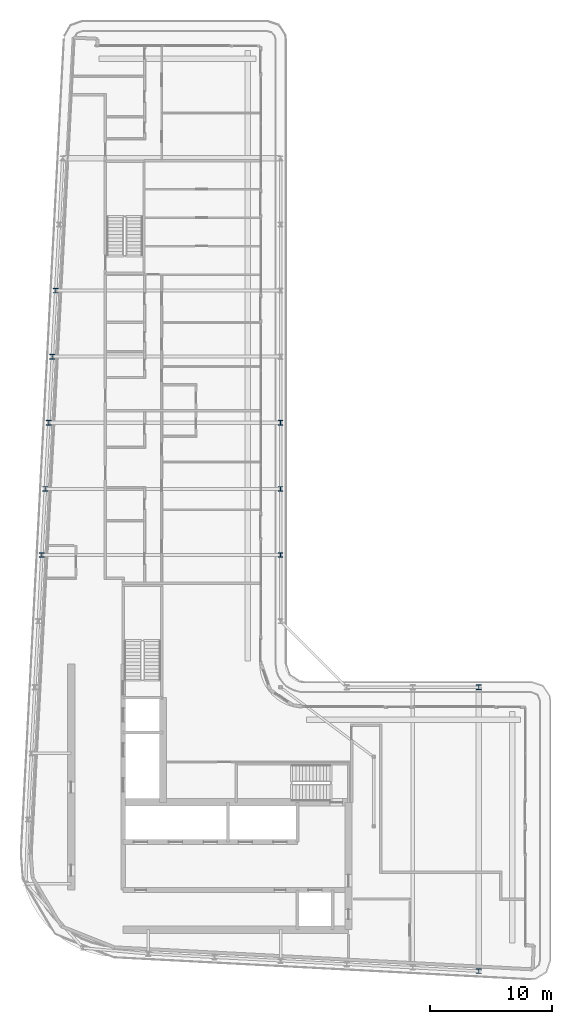
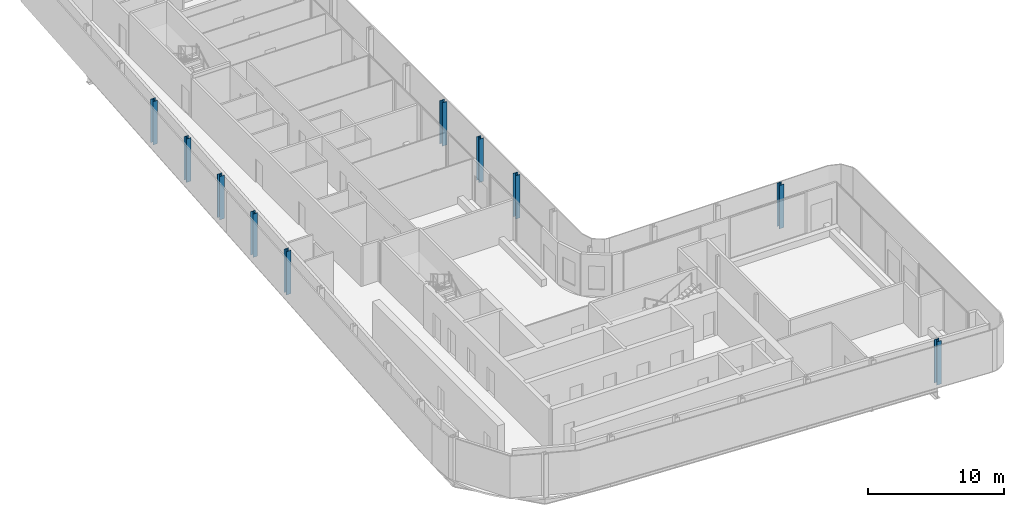
# One storey, part 3 of 20: 10 columns.
"""IFC4 building model written with IfcOpenShell, lengths in metres."""

from ifc_helpers import new_model, si_unit, direction, frame, origin, origin_2d, place, context, subcontext, project, spatial, i_section, extrude, material, material_profile, profile_set, type_object, element, save


model = new_model("IFC4")

# Units and contexts
model_context = context("Model", 3, precision=1e-05, world=origin(), true_north=direction((0.0, 1.0)))
body_context = subcontext(model_context, "Body", "Model", "MODEL_VIEW")
ifc_project = project(units=[si_unit("LENGTHUNIT", "METRE"), si_unit("AREAUNIT", "SQUARE_METRE"), si_unit("VOLUMEUNIT", "CUBIC_METRE"), si_unit("PLANEANGLEUNIT", "RADIAN"), si_unit("MASSUNIT", "GRAM", prefix="KILO")], contexts=[model_context])

# Site, building, storey
site_placement = place(None, origin())
site = spatial("IfcSite", under=ifc_project, at=site_placement, CompositionType="ELEMENT")
building_placement = place(site_placement, origin())
building = spatial("IfcBuilding", under=site, at=building_placement, Name="Kheshtan School and Residences Tower", CompositionType="ELEMENT")
storey_placement = place(building_placement, frame((0.0, 0.0, 286.39990234375)))
storey = spatial("IfcBuildingStorey", under=building, at=storey_placement, Name="L67", CompositionType="ELEMENT", Elevation=286.39990234375)

# Columns
ifc_material = material(Name="Steel ASTM A992 Grade 50", Category="steel")
ifc_material_profile = material_profile(ifc_material, i_section(OverallWidth=0.39501953125, OverallDepth=0.3798828125, WebThickness=0.018798828125, FlangeThickness=0.0302734375, FilletRadius=0.011474609375, at=origin_2d()), Name="W360x237")
ifc_profile_set = profile_set([ifc_material_profile], Name="Steel ASTM A992 Grade 50")
column_type = type_object("IfcColumnType", Name="Column C5 W360x237 ASTM A992 Grade 50", PredefinedType="COLUMN", material=ifc_profile_set)
for number, where, z_axis, x_axis, name in (
    (1, (63.800048828125, 22.410888671875, 0.0), (0.0, 0.0, 1.0), (1.0, 0.0, 0.0), "Column C016"),
    (2, (63.800048828125, 45.60009765625, 0.0), (0.0, 0.0, 1.0), (1.0, 0.0, 0.0), "Column C063"),
    (3, (28.10595703125, 56.39990234375, 0.0), (0.0, 0.0, 1.0), (1.0, 0.0, 0.0), "Column C080"),
    (4, (47.60009765625, 56.39990234375, 0.0), (0.0, 0.0, 1.0), (1.0, 0.0, 0.0), "Column C081"),
    (5, (28.389892578125, 61.800048828125, 0.0), (0.0, 0.0, 1.0), (1.0, 0.0, 0.0), "Column C082"),
    (6, (47.60009765625, 61.800048828125, 0.0), (0.0, 0.0, 1.0), (1.0, 0.0, 0.0), "Column C083"),
    (7, (28.674072265625, 67.199951171875, 0.0), (0.0, 0.0, 1.0), (1.0, 0.0, 0.0), "Column C084"),
    (8, (47.60009765625, 67.199951171875, 0.0), (0.0, 0.0, 1.0), (1.0, 0.0, 0.0), "Column C085"),
    (9, (28.9580078125, 72.60009765625, 0.0), (0.0, 0.0, 1.0), (1.0, 0.0, 0.0), "Column C086"),
    (10, (29.242919921875, 78.0, 0.0), (0.0, 0.0, 1.0), (1.0, 0.0, 0.0), "Column C088"),
):
    element("IfcColumn", number, at=place(storey_placement, frame(where, z_axis=z_axis, x_axis=x_axis)), inside=storey, type_object=column_type, Name=name, PredefinedType="COLUMN", context=body_context, shape_type="SweptSolid", body=[
        extrude(i_section(OverallWidth=0.39501953125, OverallDepth=0.3798828125, WebThickness=0.018798828125, FlangeThickness=0.0302734375, FilletRadius=0.011474609375, at=origin_2d()), origin(), (0.0, 0.0, 1.0), 3.900146484375),
    ])

save(model, "model.ifc")
